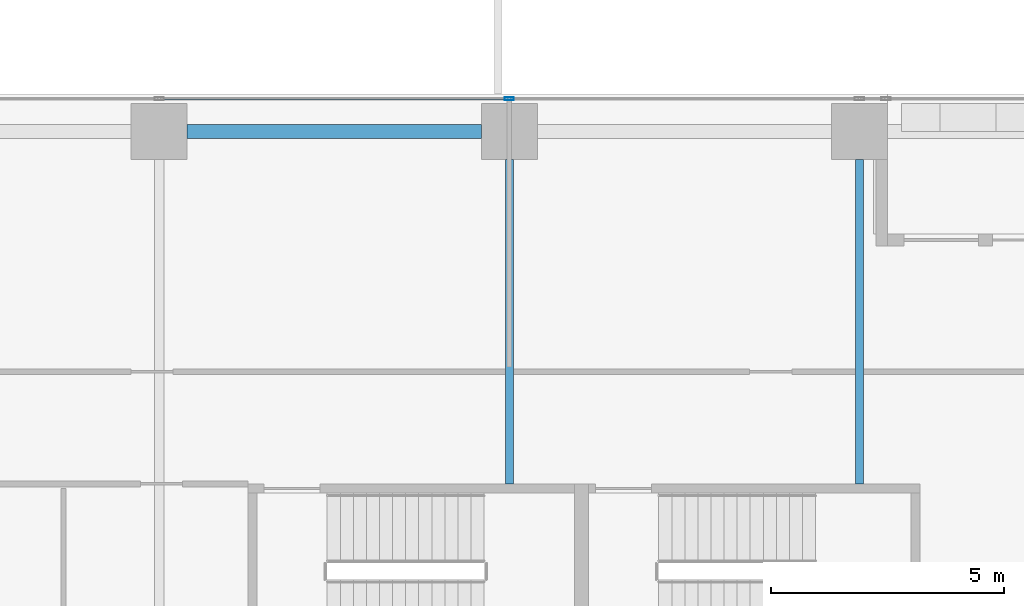
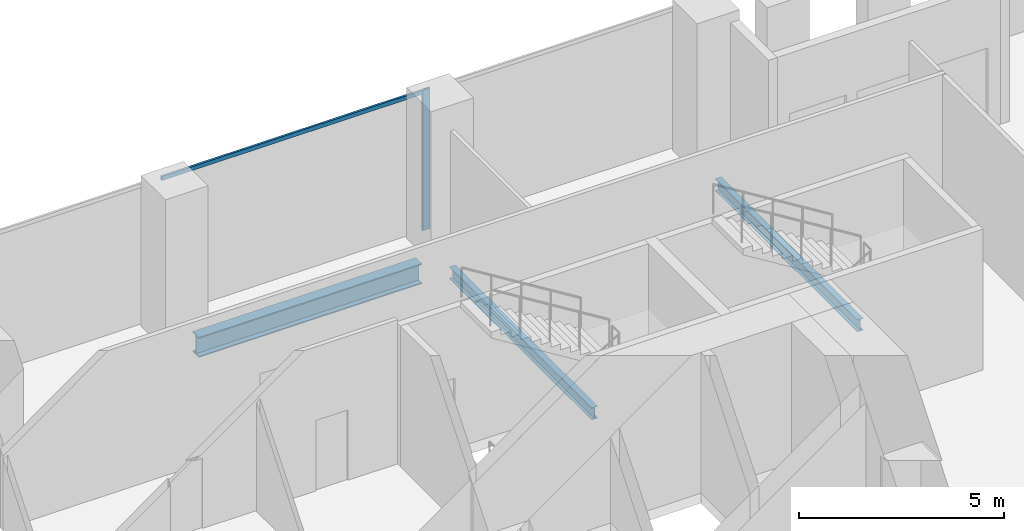
# One storey, part 15 of 33: 3 beams, 2 members, 1 element without a shape of its own.
"""IFC4 building model written with IfcOpenShell, lengths in metres."""

from ifc_helpers import new_model, si_unit, direction, frame, origin, origin_2d, place, context, subcontext, project, spatial, hollow_rectangle, i_section, extrude, source, transform, mapped, material, material_profile, profile_set, type_object, element, aggregate, save


model = new_model("IFC4")

# Units and contexts
model_context = context("Model", 3, precision=1e-05, world=origin(), true_north=direction((0.0, 1.0)))
body_context = subcontext(model_context, "Body", "Model", "MODEL_VIEW")
ifc_project = project(units=[si_unit("LENGTHUNIT", "METRE"), si_unit("AREAUNIT", "SQUARE_METRE"), si_unit("VOLUMEUNIT", "CUBIC_METRE"), si_unit("PLANEANGLEUNIT", "RADIAN"), si_unit("MASSUNIT", "GRAM", prefix="KILO")], contexts=[model_context])

# Site, building, storey
site_placement = place(None, origin())
site = spatial("IfcSite", under=ifc_project, at=site_placement, CompositionType="ELEMENT")
building_placement = place(site_placement, origin())
building = spatial("IfcBuilding", under=site, at=building_placement, Name="Khomas Fold Tower", CompositionType="ELEMENT")
storey_placement = place(building_placement, frame((0.0, 0.0, 91.5)))
storey = spatial("IfcBuildingStorey", under=building, at=storey_placement, Name="L19", CompositionType="ELEMENT", Elevation=91.5)

# Beams
ifc_material_1 = material(Name="Steel S355", Category="steel")
ifc_material_profile_1 = material_profile(ifc_material_1, i_section(OverallWidth=0.169921875, OverallDepth=0.360107421875, WebThickness=0.008056640625, FlangeThickness=0.0126953125, at=origin_2d()), Name="IPE 360")
ifc_profile_set_1 = profile_set([ifc_material_profile_1], Name="Steel S355")
beam_type_1 = type_object("IfcBeamType", Name="IPE 360 beam JB2", PredefinedType="BEAM", material=ifc_profile_set_1)
shared_shape_1 = source(origin(), body_context, "Body", "SweptSolid", [
    extrude(i_section(OverallWidth=0.169921875, OverallDepth=0.360107421875, WebThickness=0.008056640625, FlangeThickness=0.0126953125, at=origin_2d()), origin(), (0.0, 0.0, 1.0), 6.9501953125),
])
for number, where, z_axis, x_axis, name in (
    (1, (19.5, 45.64990234375, -0.47998046875), (0.0, 1.0, 0.0), (-1.0, 0.0, 0.0), "JB2"),
    (2, (27.0, 45.64990234375, -0.47998046875), (0.0, 1.0, 0.0), (-1.0, 0.0, 0.0), "JB2"),
):
    element("IfcBeam", number, at=place(storey_placement, frame(where, z_axis=z_axis, x_axis=x_axis)), inside=storey, type_object=beam_type_1, Name=name, PredefinedType="BEAM", context=body_context, shape_type="MappedRepresentation", body=[
        mapped(shared_shape_1, transform((0.0, 0.0, 0.0))),
    ])
ifc_material_2 = material(Name="Steel S355", Category="steel")
ifc_material_profile_2 = material_profile(ifc_material_2, i_section(OverallWidth=0.300048828125, OverallDepth=0.60009765625, WebThickness=0.015380859375, FlangeThickness=0.030029296875, at=origin_2d()), Name="HE 600 B")
ifc_profile_set_2 = profile_set([ifc_material_profile_2], Name="Steel S355")
beam_type_2 = type_object("IfcBeamType", Name="HE 600 B spandrel SB1", PredefinedType="SPANDREL", material=ifc_profile_set_2)
shared_shape_2 = source(origin(), body_context, "Body", "SweptSolid", [
    extrude(i_section(OverallWidth=0.300048828125, OverallDepth=0.60009765625, WebThickness=0.015380859375, FlangeThickness=0.030029296875, at=origin_2d()), origin(), (0.0, 0.0, 1.0), 6.2998046875),
])
beam_placement = place(storey_placement, frame((12.60009765625, 53.199951171875, -0.60009765625), z_axis=(1.0, 0.0, 0.0), x_axis=(0.0, 1.0, 0.0)))
element("IfcBeam", 3, at=beam_placement, inside=storey, type_object=beam_type_2, Name="SB1", PredefinedType="SPANDREL", context=body_context, shape_type="MappedRepresentation", body=[
    mapped(shared_shape_2, transform((0.0, 0.0, 0.0))),
])

# Curtain wall, members
ifc_material_3 = material(Name="Aluminium framed double glazing", Category="aluminium")
curtain_wall_type = type_object("IfcCurtainWallType", Name="SK-Unitised clear-glass wall, growing floors CW1", PredefinedType="NOTDEFINED", material=ifc_material_3)
curtain_wall_placement = place(storey_placement, origin())
curtain_wall = element("IfcCurtainWall", 4, at=curtain_wall_placement, inside=storey, type_object=curtain_wall_type, Name="CW1 run L19 06-1", PredefinedType="NOTDEFINED")
ifc_material_4 = material(Name="Aluminium", Category="aluminium")
ifc_material_profile_3 = material_profile(ifc_material_4, hollow_rectangle(XDim=0.06005859375, YDim=0.1201171875, WallThickness=0.00390625, at=origin_2d()), Name="SK-Unitised clear-glass wall, growing floors transom CW1-T")
ifc_profile_set_3 = profile_set([ifc_material_profile_3], Name="Aluminium")
member_type_1 = type_object("IfcMemberType", Name="SK-Unitised clear-glass wall, growing floors transom CW1-T", PredefinedType="USERDEFINED", material=ifc_profile_set_3)
shared_shape_3 = source(origin(), body_context, "Body", "SweptSolid", [
    extrude(hollow_rectangle(XDim=0.06005859375, YDim=0.1201171875, WallThickness=0.00390625, at=origin_2d()), origin(), (0.0, 0.0, 1.0), 7.43994140625),
])
member_1_placement = place(storey_placement, frame((19.469970703125, 53.89990234375, 4.139892578125), z_axis=(-1.0, 0.0, 0.0), x_axis=(0.0, -1.0, 0.0)))
member_1 = element("IfcMember", 5, at=member_1_placement, type_object=member_type_1, Name="CW1 transom 3", ObjectType="TRANSOM", PredefinedType="USERDEFINED", context=body_context, shape_type="MappedRepresentation", body=[
    mapped(shared_shape_3, transform((0.0, 0.0, 0.0))),
])
ifc_material_5 = material(Name="Aluminium", Category="aluminium")
ifc_material_profile_4 = material_profile(ifc_material_5, hollow_rectangle(XDim=0.06005859375, YDim=0.199951171875, WallThickness=0.00390625, at=origin_2d()), Name="SK-Unitised clear-glass wall, growing floors mullion CW1-M")
ifc_profile_set_4 = profile_set([ifc_material_profile_4], Name="Aluminium")
member_type_2 = type_object("IfcMemberType", Name="SK-Unitised clear-glass wall, growing floors mullion CW1-M", PredefinedType="MULLION", material=ifc_profile_set_4)
shared_shape_4 = source(origin(), body_context, "Body", "SweptSolid", [
    extrude(hollow_rectangle(XDim=0.06005859375, YDim=0.199951171875, WallThickness=0.00390625, at=origin_2d()), origin(), (0.0, 0.0, 1.0), 4.199951171875),
])
member_2_placement = place(storey_placement, frame((19.5, 53.89990234375, 0.0), z_axis=(0.0, 0.0, 1.0), x_axis=(0.0, -1.0, 0.0)))
member_2 = element("IfcMember", 6, at=member_2_placement, type_object=member_type_2, Name="CW1 mullion 3", PredefinedType="MULLION", context=body_context, shape_type="MappedRepresentation", body=[
    mapped(shared_shape_4, transform((0.0, 0.0, 0.0))),
])
aggregate(curtain_wall, [member_2, member_1])

save(model, "model.ifc")
